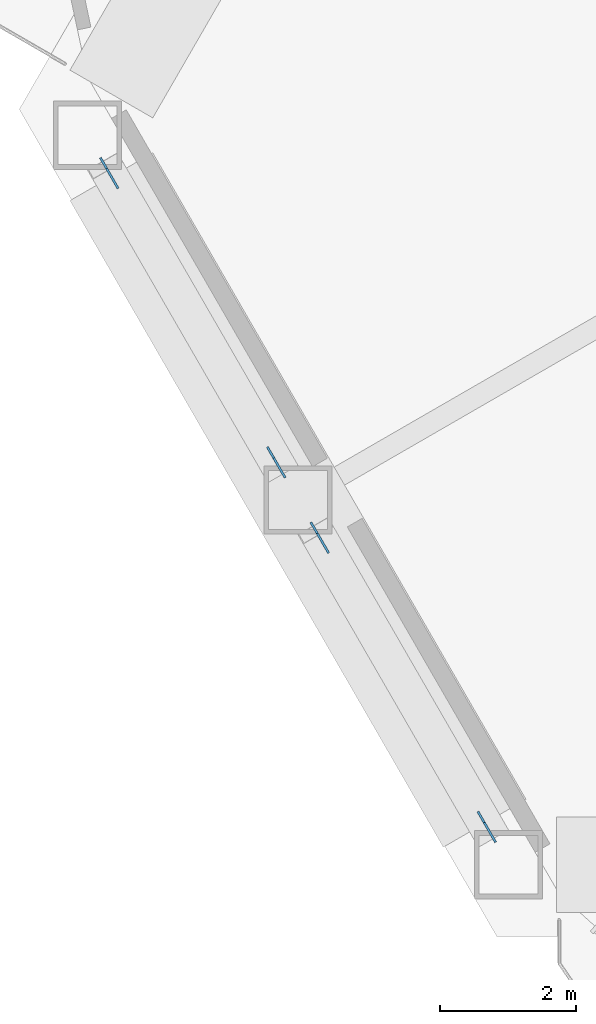
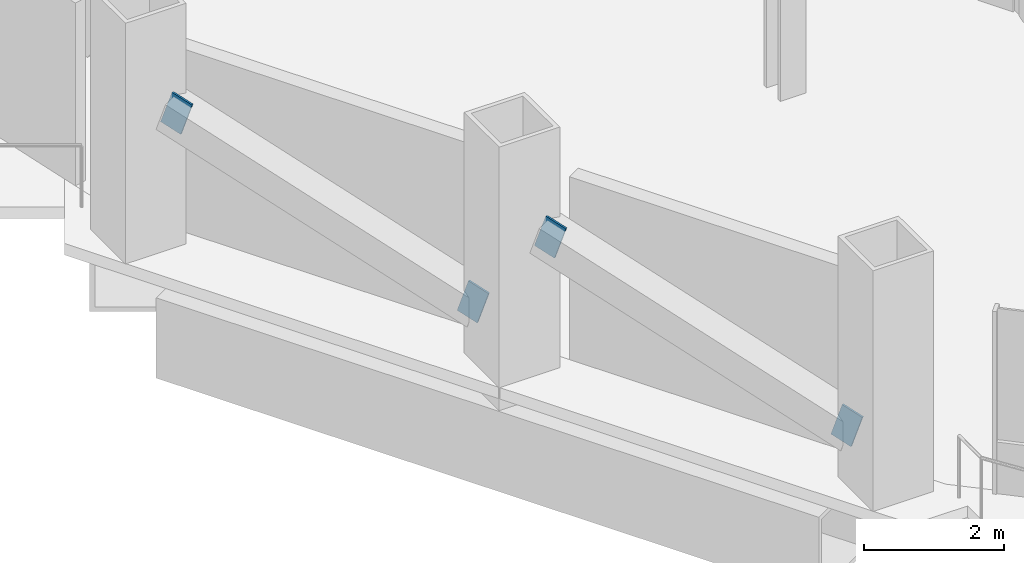
# One storey, part 14 of 22: 4 discrete accessories.
"""IFC4 building model written with IfcOpenShell, lengths in metres."""

from ifc_helpers import new_model, si_unit, direction, frame, origin, origin_2d, place, context, subcontext, project, spatial, rectangle, extrude, material, material_profile, profile_set, type_object, element, save


model = new_model("IFC4")

# Units and contexts
model_context = context("Model", 3, precision=1e-05, world=origin(), true_north=direction((0.0, 1.0)))
body_context = subcontext(model_context, "Body", "Model", "MODEL_VIEW")
ifc_project = project(units=[si_unit("LENGTHUNIT", "METRE"), si_unit("AREAUNIT", "SQUARE_METRE"), si_unit("VOLUMEUNIT", "CUBIC_METRE"), si_unit("PLANEANGLEUNIT", "RADIAN"), si_unit("MASSUNIT", "GRAM", prefix="KILO")], contexts=[model_context])

# Site, building, storey
site_placement = place(None, origin())
site = spatial("IfcSite", under=ifc_project, at=site_placement, CompositionType="ELEMENT")
building_placement = place(site_placement, origin())
building = spatial("IfcBuilding", under=site, at=building_placement, Name="Cormorant Prow Tower", CompositionType="ELEMENT")
storey_placement = place(building_placement, frame((0.0, 0.0, 30.0)))
storey = spatial("IfcBuildingStorey", under=building, at=storey_placement, Name="L05", CompositionType="ELEMENT", Elevation=30.0)

# Discrete accessories
ifc_material = material(Name="Structural steel ASTM A500 Gr C", Category="steel")
ifc_material_profile = material_profile(ifc_material, rectangle(XDim=0.031982421875, YDim=0.60791015625, at=origin_2d()), Name="Gusset plate 32x608")
ifc_profile_set = profile_set([ifc_material_profile], Name="Structural steel ASTM A500 Gr C")
discrete_accessory_type = type_object("IfcDiscreteAccessoryType", Name="Gusset plate 32x608", PredefinedType="BRACKET", material=ifc_profile_set)
discrete_accessory_1_placement = place(storey_placement, frame((-28.3173828125, -15.42041015625, 0.859375), z_axis=(0.476464602218, -0.823872174553, -0.306946449452), x_axis=(0.865660382551, 0.500631703033, 0.0)))
element("IfcDiscreteAccessory", 1, at=discrete_accessory_1_placement, inside=storey, type_object=discrete_accessory_type, Name="Gusset plate GP1 L05.WSW00.g0", PredefinedType="BRACKET", context=body_context, shape_type="SweptSolid", body=[
    extrude(rectangle(XDim=0.031982421875, YDim=0.60791015625, at=origin_2d()), origin(), (0.0, 0.0, 1.0), 0.349853515625),
])
for number, where, z_axis, x_axis, name in (
    (2, (-30.597900390625, -11.47021484375, 2.32958984375), (-0.475651503409, 0.824369614413, 0.306871937683), (-0.866161185697, -0.499764745047, 0.0), "Gusset plate GP1 L05.WSW00.g1"),
    (3, (-25.232421875, -20.763427734375, 0.859375), (0.475651503409, -0.824369614413, -0.306871937683), (0.866161185697, 0.499764745047, 0.0), "Gusset plate GP1 L05.WSW01.g0"),
):
    element("IfcDiscreteAccessory", number, at=place(storey_placement, frame(where, z_axis=z_axis, x_axis=x_axis)), inside=storey, type_object=discrete_accessory_type, Name=name, PredefinedType="BRACKET", context=body_context, shape_type="SweptSolid", body=[
        extrude(rectangle(XDim=0.031982421875, YDim=0.60791015625, at=origin_2d()), origin(), (0.0, 0.0, 1.0), 0.35009765625),
    ])
discrete_accessory_2_placement = place(storey_placement, frame((-27.512939453125, -16.813232421875, 2.32958984375), z_axis=(-0.476464602218, 0.823872174553, 0.306946449452), x_axis=(-0.865660382551, -0.500631703033, 0.0)))
element("IfcDiscreteAccessory", 4, at=discrete_accessory_2_placement, inside=storey, type_object=discrete_accessory_type, Name="Gusset plate GP1 L05.WSW01.g1", PredefinedType="BRACKET", context=body_context, shape_type="SweptSolid", body=[
    extrude(rectangle(XDim=0.031982421875, YDim=0.60791015625, at=origin_2d()), origin(), (0.0, 0.0, 1.0), 0.349853515625),
])

save(model, "model.ifc")
